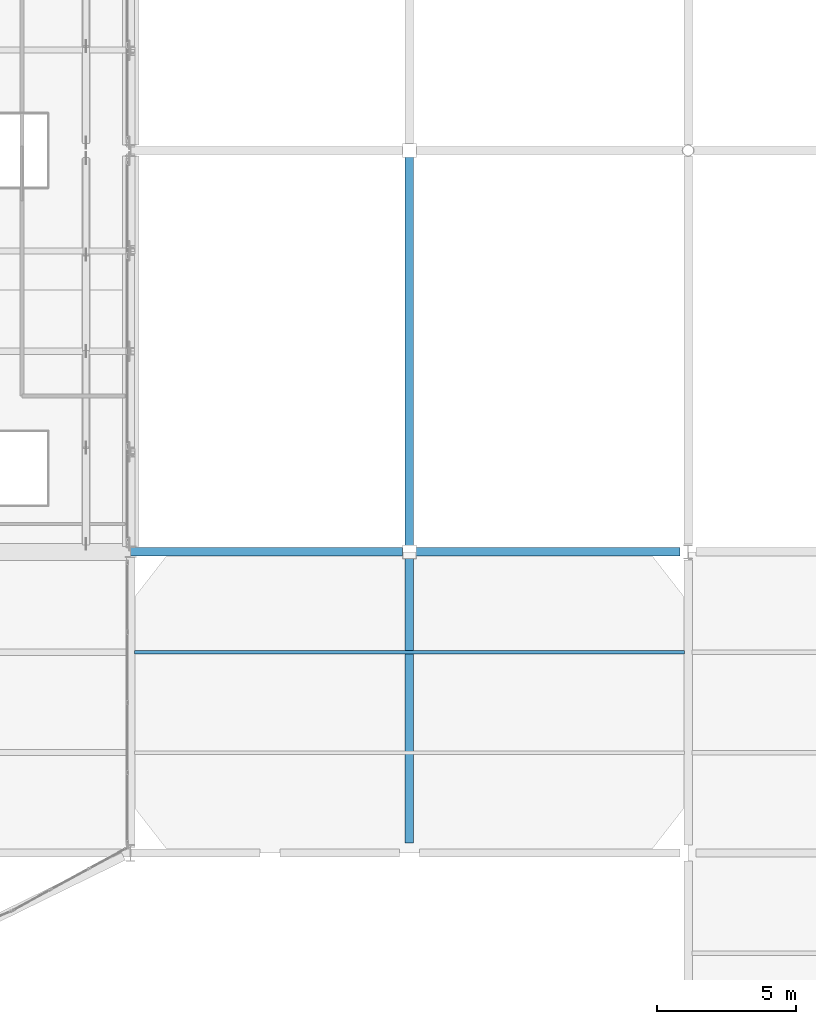
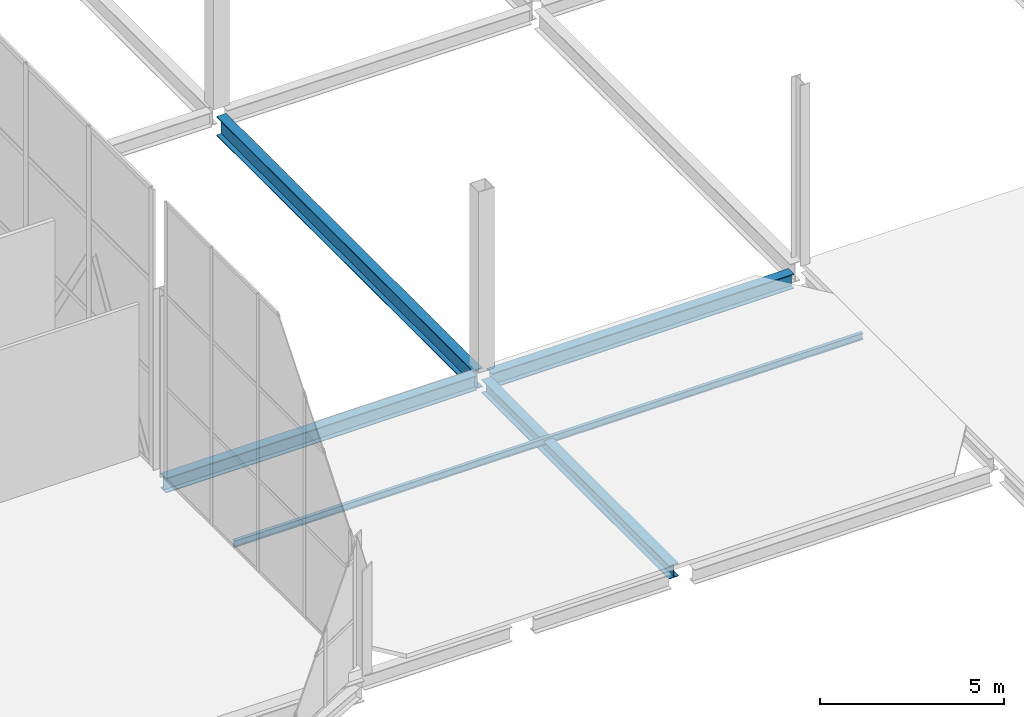
# One storey, part 57 of 191: 5 beams.
"""IFC4 building model written with IfcOpenShell, lengths in metres."""

from ifc_helpers import new_model, si_unit, direction, frame, origin, origin_2d, place, context, subcontext, project, spatial, i_section, extrude, material, material_profile, profile_set, type_object, element, save


model = new_model("IFC4")

# Units and contexts
model_context = context("Model", 3, precision=1e-05, world=origin(), true_north=direction((0.0, 1.0)))
body_context = subcontext(model_context, "Body", "Model", "MODEL_VIEW")
ifc_project = project(units=[si_unit("LENGTHUNIT", "METRE"), si_unit("AREAUNIT", "SQUARE_METRE"), si_unit("VOLUMEUNIT", "CUBIC_METRE"), si_unit("PLANEANGLEUNIT", "RADIAN"), si_unit("MASSUNIT", "GRAM", prefix="KILO")], contexts=[model_context])

# Site, building, storey
site_placement = place(None, origin())
site = spatial("IfcSite", under=ifc_project, at=site_placement, CompositionType="ELEMENT")
building_placement = place(site_placement, origin())
building = spatial("IfcBuilding", under=site, at=building_placement, Name="Tamarisk Ironworks Central Station", CompositionType="ELEMENT")
storey_placement = place(building_placement, frame((0.0, 0.0, 6.60009765625)))
storey = spatial("IfcBuildingStorey", under=building, at=storey_placement, Name="L01", CompositionType="ELEMENT", Elevation=6.60009765625)

# Beams
ifc_material = material(Name="Structural steel S355J2", Category="steel")
ifc_material_profile_1 = material_profile(ifc_material, i_section(OverallWidth=0.300048828125, OverallDepth=0.639892578125, WebThickness=0.013427734375, FlangeThickness=0.02587890625, at=origin_2d()), Name="HEA 650")
ifc_profile_set_1 = profile_set([ifc_material_profile_1], Name="Structural steel S355J2")
beam_type_1 = type_object("IfcBeamType", Name="BM-G02", PredefinedType="BEAM", material=ifc_profile_set_1)
beam_1_placement = place(storey_placement, frame((118.0, 21.837890625, -0.570068359375), z_axis=(0.0, 1.0, 0.0), x_axis=(-1.0, 0.0, 0.0)))
element("IfcBeam", 1, at=beam_1_placement, inside=storey, type_object=beam_type_1, Name="L01 primary girder Y-0242", PredefinedType="BEAM", context=body_context, shape_type="SweptSolid", body=[
    extrude(i_section(OverallWidth=0.300048828125, OverallDepth=0.639892578125, WebThickness=0.013427734375, FlangeThickness=0.02587890625, at=origin_2d()), origin(), (0.0, 0.0, 1.0), 13.924072265625),
])
ifc_material_profile_2 = material_profile(ifc_material, i_section(OverallWidth=0.300048828125, OverallDepth=0.489990234375, WebThickness=0.011962890625, FlangeThickness=0.02294921875, at=origin_2d()), Name="HEA 500")
ifc_profile_set_2 = profile_set([ifc_material_profile_2], Name="Structural steel S355J2")
beam_type_2 = type_object("IfcBeamType", Name="BM-G05", PredefinedType="BEAM", material=ifc_profile_set_2)
beam_2_placement = place(storey_placement, frame((108.00390625, 21.60009765625, -0.385009765625), z_axis=(1.0, 0.0, 0.0), x_axis=(0.0, 1.0, 0.0)))
element("IfcBeam", 2, at=beam_2_placement, inside=storey, type_object=beam_type_2, Name="L01 primary girder X-0036", PredefinedType="BEAM", context=body_context, shape_type="SweptSolid", body=[
    extrude(i_section(OverallWidth=0.300048828125, OverallDepth=0.489990234375, WebThickness=0.011962890625, FlangeThickness=0.02294921875, at=origin_2d()), origin(), (0.0, 0.0, 1.0), 9.758056640625),
])
beam_3_placement = place(storey_placement, frame((118.238037109375, 21.60009765625, -0.4951171875), z_axis=(1.0, 0.0, 0.0), x_axis=(0.0, 1.0, 0.0)))
element("IfcBeam", 3, at=beam_3_placement, inside=storey, type_object=beam_type_2, Name="L01 primary girder X-0037", PredefinedType="BEAM", context=body_context, shape_type="SweptSolid", body=[
    extrude(i_section(OverallWidth=0.300048828125, OverallDepth=0.489990234375, WebThickness=0.011962890625, FlangeThickness=0.02294921875, at=origin_2d()), origin(), (0.0, 0.0, 1.0), 9.473876953125),
])
ifc_material_profile_3 = material_profile(ifc_material, i_section(OverallWidth=0.300048828125, OverallDepth=0.43994140625, WebThickness=0.011474609375, FlangeThickness=0.02099609375, at=origin_2d()), Name="HEA 450")
ifc_profile_set_3 = profile_set([ifc_material_profile_3], Name="Structural steel S355J2")
beam_type_3 = type_object("IfcBeamType", Name="BM-G06", PredefinedType="BEAM", material=ifc_profile_set_3)
beam_4_placement = place(storey_placement, frame((118.0, 11.1630859375, -0.47021484375), z_axis=(0.0, 1.0, 0.0), x_axis=(-1.0, 0.0, 0.0)))
element("IfcBeam", 4, at=beam_4_placement, inside=storey, type_object=beam_type_3, Name="L01 primary girder Y-0241", PredefinedType="BEAM", context=body_context, shape_type="SweptSolid", body=[
    extrude(i_section(OverallWidth=0.300048828125, OverallDepth=0.43994140625, WebThickness=0.011474609375, FlangeThickness=0.02099609375, at=origin_2d()), origin(), (0.0, 0.0, 1.0), 10.198974609375),
])
ifc_material_profile_4 = material_profile(ifc_material, i_section(OverallWidth=0.110107421875, OverallDepth=0.219970703125, WebThickness=0.005859375, FlangeThickness=0.00927734375, at=origin_2d()), Name="IPE 220")
ifc_profile_set_4 = profile_set([ifc_material_profile_4], Name="Structural steel S355J2")
beam_type_4 = type_object("IfcBeamType", Name="BM-J02", PredefinedType="JOIST", material=ifc_profile_set_4)
beam_5_placement = place(storey_placement, frame((108.135009765625, 18.0, -0.25), z_axis=(1.0, 0.0, 0.0), x_axis=(0.0, 1.0, 0.0)))
element("IfcBeam", 5, at=beam_5_placement, inside=storey, type_object=beam_type_4, Name="Forecourt canopy framing beam 012", PredefinedType="JOIST", context=body_context, shape_type="SweptSolid", body=[
    extrude(i_section(OverallWidth=0.110107421875, OverallDepth=0.219970703125, WebThickness=0.005859375, FlangeThickness=0.00927734375, at=origin_2d()), origin(), (0.0, 0.0, 1.0), 19.72998046875),
])

save(model, "model.ifc")
